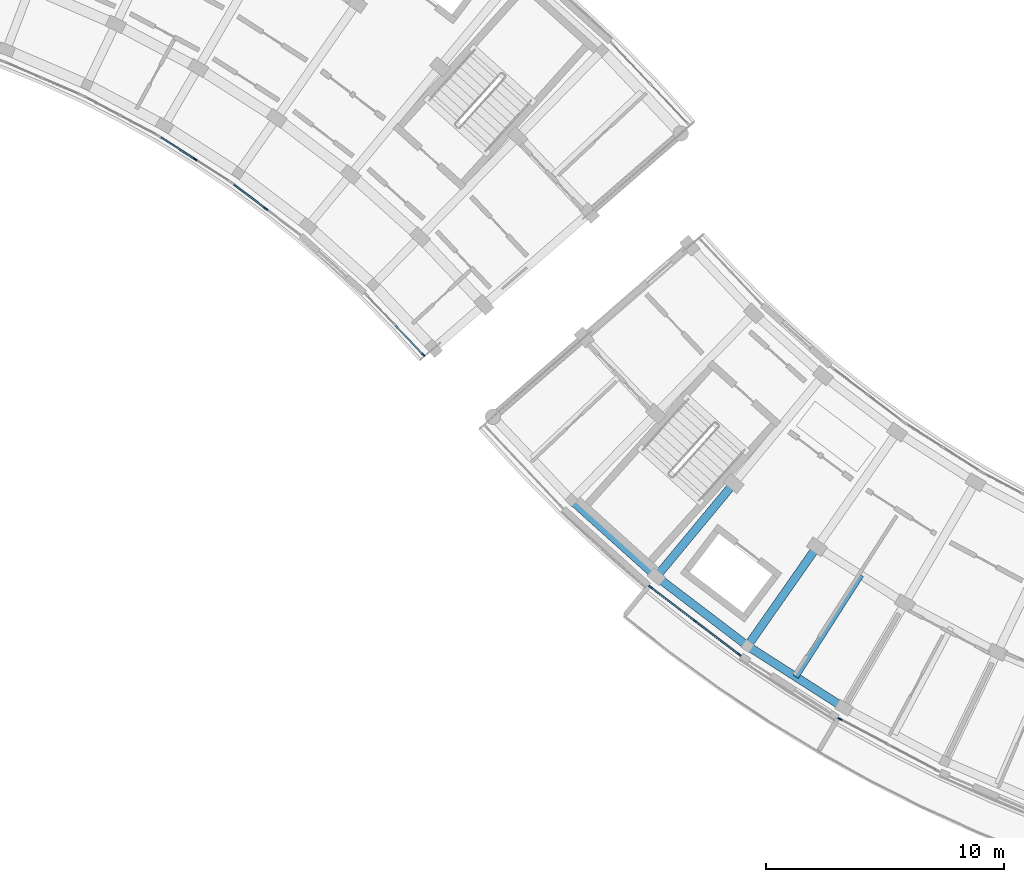
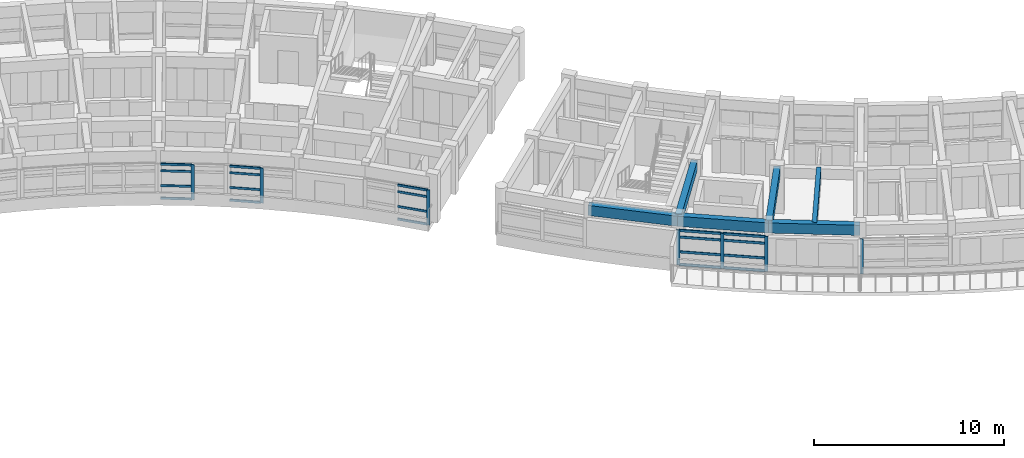
# One storey, part 14 of 50: 27 members, 6 beams, 5 elements without a shape of their own.
"""IFC4 building model written with IfcOpenShell, lengths in metres."""

from ifc_helpers import new_model, si_unit, direction, frame, origin, origin_2d, place, context, subcontext, project, spatial, rectangle, extrude, material, material_profile, profile_set, type_object, element, aggregate, save


model = new_model("IFC4")

# Units and contexts
model_context = context("Model", 3, precision=1e-05, world=origin(), true_north=direction((0.0, 1.0)))
body_context = subcontext(model_context, "Body", "Model", "MODEL_VIEW")
ifc_project = project(units=[si_unit("LENGTHUNIT", "METRE"), si_unit("AREAUNIT", "SQUARE_METRE"), si_unit("VOLUMEUNIT", "CUBIC_METRE"), si_unit("PLANEANGLEUNIT", "RADIAN"), si_unit("MASSUNIT", "GRAM", prefix="KILO")], contexts=[model_context])

# Site, building, storey
site_placement = place(None, origin())
site = spatial("IfcSite", under=ifc_project, at=site_placement, CompositionType="ELEMENT")
building_placement = place(site_placement, origin())
building = spatial("IfcBuilding", under=site, at=building_placement, Name="Zimvara Arc Housing Community", CompositionType="ELEMENT")
storey_placement = place(building_placement, frame((0.0, 0.0, 26.699951171875)))
storey = spatial("IfcBuildingStorey", under=building, at=storey_placement, Name="L08", CompositionType="ELEMENT", Elevation=26.699951171875)

# Beams
ifc_material_1 = material(Name="Concrete C40/50", Category="concrete")
ifc_material_profile_1 = material_profile(ifc_material_1, rectangle(XDim=0.25, YDim=0.449951171875, at=origin_2d()), Name="RC 250x450")
ifc_profile_set_1 = profile_set([ifc_material_profile_1], Name="Concrete C40/50")
beam_type_1 = type_object("IfcBeamType", Name="BM-RC-250x450", PredefinedType="JOIST", material=ifc_profile_set_1)
beam_1_placement = place(storey_placement, frame((97.00244140625, 64.583984375, 2.655029296875), z_axis=(-0.539052331508, -0.842272274206, 0.0), x_axis=(0.842272274206, -0.539052331508, 0.0)))
element("IfcBeam", 1, at=beam_1_placement, inside=storey, type_object=beam_type_1, Name="bm:blkC:L08:joist:b3", PredefinedType="JOIST", context=body_context, shape_type="SweptSolid", body=[
    extrude(rectangle(XDim=0.25, YDim=0.449951171875, at=origin_2d()), origin(), (0.0, 0.0, 1.0), 5.07568359375),
])
ifc_material_2 = material(Name="Concrete C40/50", Category="concrete")
ifc_material_profile_2 = material_profile(ifc_material_2, rectangle(XDim=0.35009765625, YDim=0.60009765625, at=origin_2d()), Name="RC 350x600")
ifc_profile_set_2 = profile_set([ifc_material_profile_2], Name="Concrete C40/50")
beam_type_2 = type_object("IfcBeamType", Name="BM-RC-350x600", PredefinedType="BEAM", material=ifc_profile_set_2)
beam_2_placement = place(storey_placement, frame((91.65771484375, 68.430419921875, 2.580078125), z_axis=(-0.637960059333, -0.770069453164, 0.0), x_axis=(0.770069453164, -0.637960059333, 0.0)))
element("IfcBeam", 2, at=beam_2_placement, inside=storey, type_object=beam_type_2, Name="bm:blkC:L08:rad:b2:r23", PredefinedType="BEAM", context=body_context, shape_type="SweptSolid", body=[
    extrude(rectangle(XDim=0.35009765625, YDim=0.60009765625, at=origin_2d()), origin(), (0.0, 0.0, 1.0), 5.080322265625),
])
beam_3_placement = place(storey_placement, frame((95.15234375, 65.76806640625, 2.580078125), z_axis=(-0.573007469479, -0.819550144848, 0.0), x_axis=(0.819550144848, -0.573007469479, 0.0)))
element("IfcBeam", 3, at=beam_3_placement, inside=storey, type_object=beam_type_2, Name="bm:blkC:L08:rad:b3:r23", PredefinedType="BEAM", context=body_context, shape_type="SweptSolid", body=[
    extrude(rectangle(XDim=0.35009765625, YDim=0.60009765625, at=origin_2d()), origin(), (0.0, 0.0, 1.0), 5.080078125),
])
ifc_material_3 = material(Name="Concrete C40/50", Category="concrete")
ifc_material_profile_3 = material_profile(ifc_material_3, rectangle(XDim=0.35009765625, YDim=0.64990234375, at=origin_2d()), Name="RC 350x650")
ifc_profile_set_3 = profile_set([ifc_material_profile_3], Name="Concrete C40/50")
beam_type_3 = type_object("IfcBeamType", Name="BM-RC-350x650", PredefinedType="BEAM", material=ifc_profile_set_3)
for number, where, z_axis, x_axis, name in (
    (4, (84.842529296875, 67.734375, 2.554931640625), (0.743369885629, -0.668880567172, 0.0), (0.668880567172, 0.743369885629, 0.0), "bm:blkC:L08:chord:r3:b1"),
    (5, (88.416748046875, 64.518310546875, 2.554931640625), (0.795480673672, -0.605978958228, 0.0), (0.605978958228, 0.795480673672, 0.0), "bm:blkC:L08:chord:r3:b2"),
    (6, (92.241455078125, 61.604736328125, 2.554931640625), (0.842278777856, -0.539042169383, 0.0), (0.539042169383, 0.842278777856, 0.0), "bm:blkC:L08:chord:r3:b3"),
):
    element("IfcBeam", number, at=place(storey_placement, frame(where, z_axis=z_axis, x_axis=x_axis)), inside=storey, type_object=beam_type_3, Name=name, PredefinedType="BEAM", context=body_context, shape_type="SweptSolid", body=[
        extrude(rectangle(XDim=0.35009765625, YDim=0.64990234375, at=origin_2d()), origin(), (0.0, 0.0, 1.0), 4.80810546875),
    ])

# Curtain wall, member
ifc_material_4 = material(Name="Anodised Aluminium AW-6063", Category="aluminium")
curtain_wall_type_1 = type_object("IfcCurtainWallType", Name="CW-SYS-06", PredefinedType="USERDEFINED", material=ifc_material_4)
curtain_wall_1_placement = place(storey_placement, origin())
curtain_wall_1 = element("IfcCurtainWall", 7, at=curtain_wall_1_placement, inside=storey, type_object=curtain_wall_type_1, Name="cw:blkB:L08:in:b6", ObjectType="CURTAIN WALL", PredefinedType="USERDEFINED")
ifc_material_5 = material(Name="Anodised Aluminium AW-6063", Category="aluminium")
ifc_material_profile_4 = material_profile(ifc_material_5, rectangle(XDim=0.06494140625, YDim=0.179931640625, at=origin_2d()), Name="ALU 65x180")
ifc_profile_set_4 = profile_set([ifc_material_profile_4], Name="Anodised Aluminium AW-6063")
member_type_1 = type_object("IfcMemberType", Name="CWM-65x150", PredefinedType="MULLION", material=ifc_profile_set_4)
member_1_placement = place(storey_placement, frame((69.032958984375, 82.050537109375, 0.0), z_axis=(0.0, 0.0, 1.0), x_axis=(0.539064085203, 0.842264751752, 0.0)))
member_1 = element("IfcMember", 8, at=member_1_placement, type_object=member_type_1, Name="CW06 mullion 2", PredefinedType="MULLION", context=body_context, shape_type="SweptSolid", body=[
    extrude(rectangle(XDim=0.06494140625, YDim=0.179931640625, at=origin_2d()), origin(), (0.0, 0.0, 1.0), 2.25),
])

ifc_material_6 = material(Name="Anodised Aluminium AW-6063", Category="aluminium")
curtain_wall_type_2 = type_object("IfcCurtainWallType", Name="CW-SYS-08", PredefinedType="USERDEFINED", material=ifc_material_6)
curtain_wall_2_placement = place(storey_placement, origin())
curtain_wall_2 = element("IfcCurtainWall", 9, at=curtain_wall_2_placement, inside=storey, type_object=curtain_wall_type_2, Name="cw:blkB:L08:in:b7", ObjectType="CURTAIN WALL", PredefinedType="USERDEFINED")
member_2_placement = place(storey_placement, frame((72.0166015625, 79.96435546875, 0.0), z_axis=(0.0, 0.0, 1.0), x_axis=(0.605988318533, 0.795473543119, 0.0)))
member_2 = element("IfcMember", 10, at=member_2_placement, type_object=member_type_1, Name="CW08 mullion 2", PredefinedType="MULLION", context=body_context, shape_type="SweptSolid", body=[
    extrude(rectangle(XDim=0.06494140625, YDim=0.179931640625, at=origin_2d()), origin(), (0.0, 0.0, 1.0), 2.25),
])

ifc_material_7 = material(Name="Anodised Aluminium AW-6063", Category="aluminium")
curtain_wall_type_3 = type_object("IfcCurtainWallType", Name="CW-SYS-02", PredefinedType="USERDEFINED", material=ifc_material_7)
curtain_wall_3_placement = place(storey_placement, origin())
curtain_wall_3 = element("IfcCurtainWall", 11, at=curtain_wall_3_placement, inside=storey, type_object=curtain_wall_type_3, Name="cw:blkB:L08:in:b9", ObjectType="CURTAIN WALL", PredefinedType="USERDEFINED")
member_3_placement = place(storey_placement, frame((78.611572265625, 73.840576171875, 0.0), z_axis=(0.0, 0.0, 1.0), x_axis=(0.727293280483, 0.686326805658, 0.0)))
member_3 = element("IfcMember", 12, at=member_3_placement, type_object=member_type_1, Name="CW02 mullion 3", PredefinedType="MULLION", context=body_context, shape_type="SweptSolid", body=[
    extrude(rectangle(XDim=0.06494140625, YDim=0.179931640625, at=origin_2d()), origin(), (0.0, 0.0, 1.0), 2.25),
])

ifc_material_8 = material(Name="Anodised Aluminium AW-6063", Category="aluminium")
curtain_wall_type_4 = type_object("IfcCurtainWallType", Name="CW-SYS-04", PredefinedType="USERDEFINED", material=ifc_material_8)
curtain_wall_4_placement = place(storey_placement, origin())
curtain_wall_4 = element("IfcCurtainWall", 13, at=curtain_wall_4_placement, inside=storey, type_object=curtain_wall_type_4, Name="cw:blkC:L08:out:b4", ObjectType="CURTAIN WALL", PredefinedType="USERDEFINED")
member_4_placement = place(storey_placement, frame((96.120849609375, 58.537841796875, 0.0), z_axis=(0.0, 0.0, 1.0), x_axis=(0.468546917761, 0.883438614651, 0.0)))
member_4 = element("IfcMember", 14, at=member_4_placement, type_object=member_type_1, Name="CW04 mullion 1", PredefinedType="MULLION", context=body_context, shape_type="SweptSolid", body=[
    extrude(rectangle(XDim=0.06494140625, YDim=0.179931640625, at=origin_2d()), origin(), (0.0, 0.0, 1.0), 2.25),
])
aggregate(curtain_wall_4, [member_4])

# Curtain wall, members
ifc_material_9 = material(Name="Anodised Aluminium AW-6063", Category="aluminium")
curtain_wall_type_5 = type_object("IfcCurtainWallType", Name="CW-SYS-01", PredefinedType="USERDEFINED", material=ifc_material_9)
curtain_wall_5_placement = place(storey_placement, origin())
curtain_wall_5 = element("IfcCurtainWall", 15, at=curtain_wall_5_placement, inside=storey, type_object=curtain_wall_type_5, Name="cw:blkC:L08:out:b2", ObjectType="CURTAIN WALL", PredefinedType="USERDEFINED")
ifc_material_10 = material(Name="Anodised Aluminium AW-6063", Category="aluminium")
ifc_material_profile_5 = material_profile(ifc_material_10, rectangle(XDim=0.06494140625, YDim=0.195068359375, at=origin_2d()), Name="ALU 65x195")
ifc_profile_set_5 = profile_set([ifc_material_profile_5], Name="Anodised Aluminium AW-6063")
member_type_2 = type_object("IfcMemberType", Name="CWM-65x180", PredefinedType="MULLION", material=ifc_profile_set_5)
member_5_placement = place(storey_placement, frame((88.17138671875, 64.077392578125, 0.0), z_axis=(0.0, 0.0, 1.0), x_axis=(0.60598771987, 0.795473999177, 0.0)))
member_5 = element("IfcMember", 16, at=member_5_placement, type_object=member_type_2, Name="CW01 mullion 1", PredefinedType="MULLION", context=body_context, shape_type="SweptSolid", body=[
    extrude(rectangle(XDim=0.06494140625, YDim=0.195068359375, at=origin_2d()), origin(), (0.0, 0.0, 1.0), 2.25),
])
member_6_placement = place(storey_placement, frame((90.0263671875, 62.6640625, 0.0), z_axis=(0.0, 0.0, 1.0), x_axis=(0.60598771987, 0.795473999177, 0.0)))
member_6 = element("IfcMember", 17, at=member_6_placement, type_object=member_type_2, Name="CW01 mullion 2", PredefinedType="MULLION", context=body_context, shape_type="SweptSolid", body=[
    extrude(rectangle(XDim=0.06494140625, YDim=0.195068359375, at=origin_2d()), origin(), (0.0, 0.0, 1.0), 2.25),
])
member_7_placement = place(storey_placement, frame((91.88134765625, 61.2509765625, 0.0), z_axis=(0.0, 0.0, 1.0), x_axis=(0.60598771987, 0.795473999177, 0.0)))
member_7 = element("IfcMember", 18, at=member_7_placement, type_object=member_type_2, Name="CW01 mullion 3", PredefinedType="MULLION", context=body_context, shape_type="SweptSolid", body=[
    extrude(rectangle(XDim=0.06494140625, YDim=0.195068359375, at=origin_2d()), origin(), (0.0, 0.0, 1.0), 2.25),
])

# Member
ifc_material_11 = material(Name="Anodised Aluminium AW-6063", Category="aluminium")
ifc_material_profile_6 = material_profile(ifc_material_11, rectangle(XDim=0.06494140625, YDim=0.139892578125, at=origin_2d()), Name="ALU 65x140")
ifc_profile_set_6 = profile_set([ifc_material_profile_6], Name="Anodised Aluminium AW-6063")
member_type_3 = type_object("IfcMemberType", Name="CWT-65x120", PredefinedType="USERDEFINED", material=ifc_profile_set_6)
member_8_placement = place(storey_placement, frame((67.603759765625, 82.965087890625, 0.032470703125), z_axis=(0.842330007588, -0.538962112135, 0.0), x_axis=(0.538962112135, 0.842330007588, 0.0)))
member_8 = element("IfcMember", 19, at=member_8_placement, type_object=member_type_3, Name="CW06 transom 1.1", ObjectType="TRANSOM", PredefinedType="USERDEFINED", context=body_context, shape_type="SweptSolid", body=[
    extrude(rectangle(XDim=0.06494140625, YDim=0.139892578125, at=origin_2d()), origin(), (0.0, 0.0, 1.0), 1.664306640625),
])

member_9_placement = place(storey_placement, frame((67.603759765625, 82.965087890625, 0.85009765625), z_axis=(0.842330007588, -0.538962112135, 0.0), x_axis=(0.538962112135, 0.842330007588, 0.0)))
member_9 = element("IfcMember", 20, at=member_9_placement, type_object=member_type_3, Name="CW06 transom 1.2", ObjectType="TRANSOM", PredefinedType="USERDEFINED", context=body_context, shape_type="SweptSolid", body=[
    extrude(rectangle(XDim=0.06494140625, YDim=0.139892578125, at=origin_2d()), origin(), (0.0, 0.0, 1.0), 1.664306640625),
])

member_10_placement = place(storey_placement, frame((67.603759765625, 82.965087890625, 1.800048828125), z_axis=(0.842330007588, -0.538962112135, 0.0), x_axis=(0.538962112135, 0.842330007588, 0.0)))
member_10 = element("IfcMember", 21, at=member_10_placement, type_object=member_type_3, Name="CW06 transom 1.3", ObjectType="TRANSOM", PredefinedType="USERDEFINED", context=body_context, shape_type="SweptSolid", body=[
    extrude(rectangle(XDim=0.06494140625, YDim=0.139892578125, at=origin_2d()), origin(), (0.0, 0.0, 1.0), 1.664306640625),
])

member_11_placement = place(storey_placement, frame((67.603759765625, 82.965087890625, 2.217529296875), z_axis=(0.842330007588, -0.538962112135, 0.0), x_axis=(0.538962112135, 0.842330007588, 0.0)))
member_11 = element("IfcMember", 22, at=member_11_placement, type_object=member_type_3, Name="CW06 transom 1.4", ObjectType="TRANSOM", PredefinedType="USERDEFINED", context=body_context, shape_type="SweptSolid", body=[
    extrude(rectangle(XDim=0.06494140625, YDim=0.139892578125, at=origin_2d()), origin(), (0.0, 0.0, 1.0), 1.664306640625),
])

aggregate(curtain_wall_1, [member_1, member_8, member_9, member_10, member_11])

member_12_placement = place(storey_placement, frame((70.6669921875, 80.99267578125, 0.032470703125), z_axis=(0.795435087713, -0.606038795157, 0.0), x_axis=(0.606038795157, 0.795435087713, 0.0)))
member_12 = element("IfcMember", 23, at=member_12_placement, type_object=member_type_3, Name="CW08 transom 1.1", ObjectType="TRANSOM", PredefinedType="USERDEFINED", context=body_context, shape_type="SweptSolid", body=[
    extrude(rectangle(XDim=0.06494140625, YDim=0.139892578125, at=origin_2d()), origin(), (0.0, 0.0, 1.0), 1.6640625),
])

member_13_placement = place(storey_placement, frame((70.6669921875, 80.99267578125, 0.85009765625), z_axis=(0.795435087713, -0.606038795157, 0.0), x_axis=(0.606038795157, 0.795435087713, 0.0)))
member_13 = element("IfcMember", 24, at=member_13_placement, type_object=member_type_3, Name="CW08 transom 1.2", ObjectType="TRANSOM", PredefinedType="USERDEFINED", context=body_context, shape_type="SweptSolid", body=[
    extrude(rectangle(XDim=0.06494140625, YDim=0.139892578125, at=origin_2d()), origin(), (0.0, 0.0, 1.0), 1.6640625),
])

member_14_placement = place(storey_placement, frame((70.6669921875, 80.99267578125, 1.800048828125), z_axis=(0.795435087713, -0.606038795157, 0.0), x_axis=(0.606038795157, 0.795435087713, 0.0)))
member_14 = element("IfcMember", 25, at=member_14_placement, type_object=member_type_3, Name="CW08 transom 1.3", ObjectType="TRANSOM", PredefinedType="USERDEFINED", context=body_context, shape_type="SweptSolid", body=[
    extrude(rectangle(XDim=0.06494140625, YDim=0.139892578125, at=origin_2d()), origin(), (0.0, 0.0, 1.0), 1.6640625),
])

member_15_placement = place(storey_placement, frame((70.6669921875, 80.99267578125, 2.217529296875), z_axis=(0.795435087713, -0.606038795157, 0.0), x_axis=(0.606038795157, 0.795435087713, 0.0)))
member_15 = element("IfcMember", 26, at=member_15_placement, type_object=member_type_3, Name="CW08 transom 1.4", ObjectType="TRANSOM", PredefinedType="USERDEFINED", context=body_context, shape_type="SweptSolid", body=[
    extrude(rectangle(XDim=0.06494140625, YDim=0.139892578125, at=origin_2d()), origin(), (0.0, 0.0, 1.0), 1.6640625),
])

aggregate(curtain_wall_2, [member_2, member_12, member_13, member_14, member_15])

member_16_placement = place(storey_placement, frame((77.447021484375, 75.07470703125, 0.032470703125), z_axis=(0.686347817597, -0.727273451516, 0.0), x_axis=(0.727273451516, 0.686347817597, 0.0)))
member_16 = element("IfcMember", 27, at=member_16_placement, type_object=member_type_3, Name="CW02 transom 2.1", ObjectType="TRANSOM", PredefinedType="USERDEFINED", context=body_context, shape_type="SweptSolid", body=[
    extrude(rectangle(XDim=0.06494140625, YDim=0.139892578125, at=origin_2d()), origin(), (0.0, 0.0, 1.0), 1.664306640625),
])

member_17_placement = place(storey_placement, frame((77.447021484375, 75.07470703125, 0.85009765625), z_axis=(0.686347817597, -0.727273451516, 0.0), x_axis=(0.727273451516, 0.686347817597, 0.0)))
member_17 = element("IfcMember", 28, at=member_17_placement, type_object=member_type_3, Name="CW02 transom 2.2", ObjectType="TRANSOM", PredefinedType="USERDEFINED", context=body_context, shape_type="SweptSolid", body=[
    extrude(rectangle(XDim=0.06494140625, YDim=0.139892578125, at=origin_2d()), origin(), (0.0, 0.0, 1.0), 1.664306640625),
])

member_18_placement = place(storey_placement, frame((77.447021484375, 75.07470703125, 1.800048828125), z_axis=(0.686347817597, -0.727273451516, 0.0), x_axis=(0.727273451516, 0.686347817597, 0.0)))
member_18 = element("IfcMember", 29, at=member_18_placement, type_object=member_type_3, Name="CW02 transom 2.3", ObjectType="TRANSOM", PredefinedType="USERDEFINED", context=body_context, shape_type="SweptSolid", body=[
    extrude(rectangle(XDim=0.06494140625, YDim=0.139892578125, at=origin_2d()), origin(), (0.0, 0.0, 1.0), 1.664306640625),
])

member_19_placement = place(storey_placement, frame((77.447021484375, 75.07470703125, 2.217529296875), z_axis=(0.686347817597, -0.727273451516, 0.0), x_axis=(0.727273451516, 0.686347817597, 0.0)))
member_19 = element("IfcMember", 30, at=member_19_placement, type_object=member_type_3, Name="CW02 transom 2.4", ObjectType="TRANSOM", PredefinedType="USERDEFINED", context=body_context, shape_type="SweptSolid", body=[
    extrude(rectangle(XDim=0.06494140625, YDim=0.139892578125, at=origin_2d()), origin(), (0.0, 0.0, 1.0), 1.664306640625),
])

aggregate(curtain_wall_3, [member_3, member_16, member_17, member_18, member_19])

ifc_material_12 = material(Name="Anodised Aluminium AW-6063", Category="aluminium")
ifc_material_profile_7 = material_profile(ifc_material_12, rectangle(XDim=0.06494140625, YDim=0.155029296875, at=origin_2d()), Name="ALU 65x155")
ifc_profile_set_7 = profile_set([ifc_material_profile_7], Name="Anodised Aluminium AW-6063")
member_type_4 = type_object("IfcMemberType", Name="CWT-65x140", PredefinedType="USERDEFINED", material=ifc_profile_set_7)
member_20_placement = place(storey_placement, frame((88.197265625, 64.0576171875, 0.032470703125), z_axis=(0.795453969776, -0.606014011363, 0.0), x_axis=(0.606014011363, 0.795453969776, 0.0)))
member_20 = element("IfcMember", 31, at=member_20_placement, type_object=member_type_4, Name="CW01 transom 1.1", ObjectType="TRANSOM", PredefinedType="USERDEFINED", context=body_context, shape_type="SweptSolid", body=[
    extrude(rectangle(XDim=0.06494140625, YDim=0.155029296875, at=origin_2d()), origin(), (0.0, 0.0, 1.0), 2.266845703125),
])

member_21_placement = place(storey_placement, frame((88.197265625, 64.0576171875, 0.85009765625), z_axis=(0.795453969776, -0.606014011363, 0.0), x_axis=(0.606014011363, 0.795453969776, 0.0)))
member_21 = element("IfcMember", 32, at=member_21_placement, type_object=member_type_4, Name="CW01 transom 1.2", ObjectType="TRANSOM", PredefinedType="USERDEFINED", context=body_context, shape_type="SweptSolid", body=[
    extrude(rectangle(XDim=0.06494140625, YDim=0.155029296875, at=origin_2d()), origin(), (0.0, 0.0, 1.0), 2.266845703125),
])

member_22_placement = place(storey_placement, frame((88.197265625, 64.0576171875, 1.800048828125), z_axis=(0.795453969776, -0.606014011363, 0.0), x_axis=(0.606014011363, 0.795453969776, 0.0)))
member_22 = element("IfcMember", 33, at=member_22_placement, type_object=member_type_4, Name="CW01 transom 1.3", ObjectType="TRANSOM", PredefinedType="USERDEFINED", context=body_context, shape_type="SweptSolid", body=[
    extrude(rectangle(XDim=0.06494140625, YDim=0.155029296875, at=origin_2d()), origin(), (0.0, 0.0, 1.0), 2.266845703125),
])

member_23_placement = place(storey_placement, frame((88.197265625, 64.0576171875, 2.217529296875), z_axis=(0.795453969776, -0.606014011363, 0.0), x_axis=(0.606014011363, 0.795453969776, 0.0)))
member_23 = element("IfcMember", 34, at=member_23_placement, type_object=member_type_4, Name="CW01 transom 1.4", ObjectType="TRANSOM", PredefinedType="USERDEFINED", context=body_context, shape_type="SweptSolid", body=[
    extrude(rectangle(XDim=0.06494140625, YDim=0.155029296875, at=origin_2d()), origin(), (0.0, 0.0, 1.0), 2.266845703125),
])

member_24_placement = place(storey_placement, frame((90.05224609375, 62.64453125, 0.032470703125), z_axis=(0.795453969776, -0.606014011363, 0.0), x_axis=(0.606014011363, 0.795453969776, 0.0)))
member_24 = element("IfcMember", 35, at=member_24_placement, type_object=member_type_4, Name="CW01 transom 2.1", ObjectType="TRANSOM", PredefinedType="USERDEFINED", context=body_context, shape_type="SweptSolid", body=[
    extrude(rectangle(XDim=0.06494140625, YDim=0.155029296875, at=origin_2d()), origin(), (0.0, 0.0, 1.0), 2.266845703125),
])

member_25_placement = place(storey_placement, frame((90.05224609375, 62.64453125, 0.85009765625), z_axis=(0.795453969776, -0.606014011363, 0.0), x_axis=(0.606014011363, 0.795453969776, 0.0)))
member_25 = element("IfcMember", 36, at=member_25_placement, type_object=member_type_4, Name="CW01 transom 2.2", ObjectType="TRANSOM", PredefinedType="USERDEFINED", context=body_context, shape_type="SweptSolid", body=[
    extrude(rectangle(XDim=0.06494140625, YDim=0.155029296875, at=origin_2d()), origin(), (0.0, 0.0, 1.0), 2.266845703125),
])

member_26_placement = place(storey_placement, frame((90.05224609375, 62.64453125, 1.800048828125), z_axis=(0.795453969776, -0.606014011363, 0.0), x_axis=(0.606014011363, 0.795453969776, 0.0)))
member_26 = element("IfcMember", 37, at=member_26_placement, type_object=member_type_4, Name="CW01 transom 2.3", ObjectType="TRANSOM", PredefinedType="USERDEFINED", context=body_context, shape_type="SweptSolid", body=[
    extrude(rectangle(XDim=0.06494140625, YDim=0.155029296875, at=origin_2d()), origin(), (0.0, 0.0, 1.0), 2.266845703125),
])

member_27_placement = place(storey_placement, frame((90.05224609375, 62.64453125, 2.217529296875), z_axis=(0.795453969776, -0.606014011363, 0.0), x_axis=(0.606014011363, 0.795453969776, 0.0)))
member_27 = element("IfcMember", 38, at=member_27_placement, type_object=member_type_4, Name="CW01 transom 2.4", ObjectType="TRANSOM", PredefinedType="USERDEFINED", context=body_context, shape_type="SweptSolid", body=[
    extrude(rectangle(XDim=0.06494140625, YDim=0.155029296875, at=origin_2d()), origin(), (0.0, 0.0, 1.0), 2.266845703125),
])

aggregate(curtain_wall_5, [member_5, member_6, member_7, member_20, member_21, member_22, member_23, member_24, member_25, member_26, member_27])

save(model, "model.ifc")
